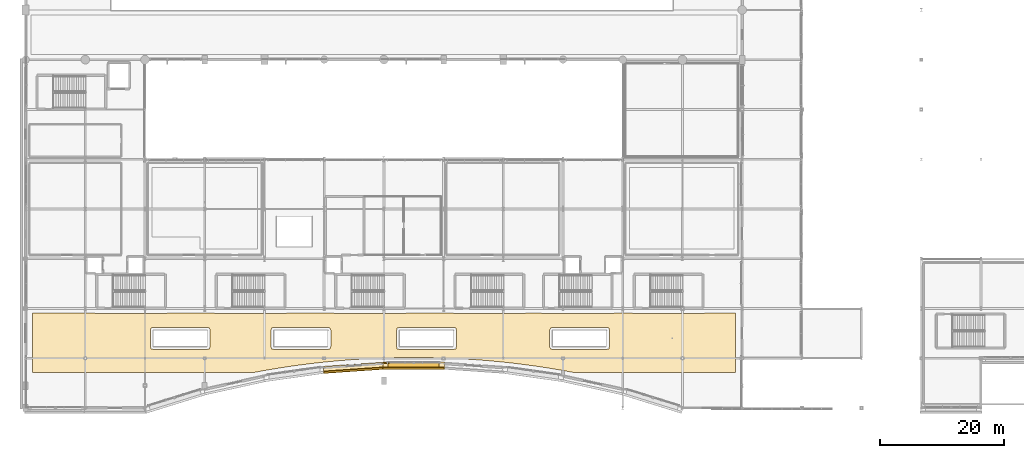
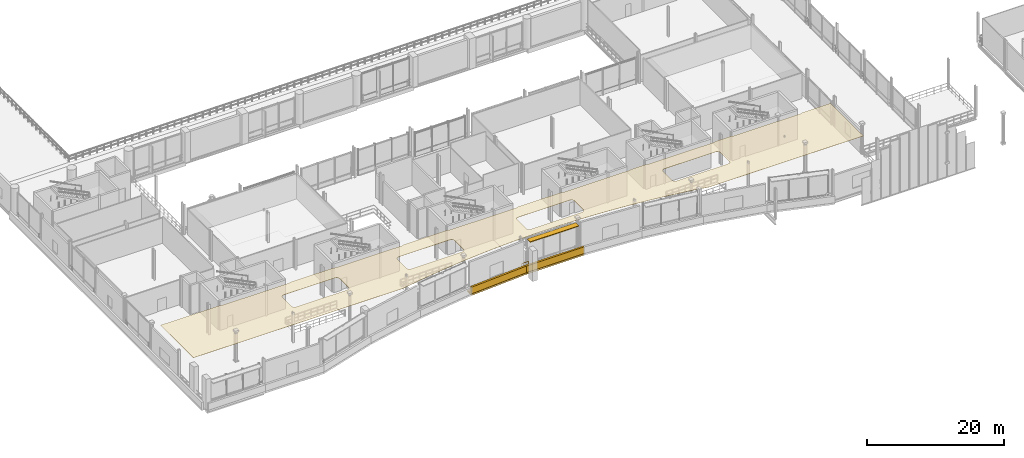
# One storey, part 105 of 129: 5 coverings, 1 railing, 1 shading device.
"""IFC4 building model written with IfcOpenShell, lengths in metres."""

import ifcopenshell
import ifcopenshell.guid

model = None  # the IFC model being written
_history = None  # IfcOwnerHistory: only IFC2X3 demands one
_inside = {}  # id of a spatial element -> (the spatial element, [elements in it])
_under = {}  # id of a project, library or spatial element -> (it, [spatial elements below it])
_declared = {}  # id of a project -> (the project, [libraries it declares])
_typed = {}  # id of a type object -> (the type object, [elements of that type])
_made_of = {}  # id of a material, layer set ... -> (it, [elements and type objects made of it])


def new_model(schema):
    """Start an empty IFC model of exactly this schema.

    Asked for "IFC4X3", IfcOpenShell would pick the latest addendum, in which some entities
    have other attributes; the version numbers below select the first issue.
    IFC2X3 requires an IfcOwnerHistory on every rooted entity: one is made here for all.
    """
    global model, _history
    if schema == "IFC4X3":
        model = ifcopenshell.file(schema_version=(4, 3, 0, 0))
    else:
        model = ifcopenshell.file(schema=schema)
    _inside.clear()
    _under.clear()
    _declared.clear()
    _typed.clear()
    _made_of.clear()
    _history = None
    if model.schema == "IFC2X3":
        org = make("IfcOrganization", Name="unknown")
        user = make(
            "IfcPersonAndOrganization",
            ThePerson=make("IfcPerson", FamilyName="unknown"),
            TheOrganization=org,
        )
        app = make(
            "IfcApplication",
            ApplicationDeveloper=org,
            Version="unknown",
            ApplicationFullName="unknown",
            ApplicationIdentifier="unknown",
        )
        _history = make(
            "IfcOwnerHistory",
            OwningUser=user,
            OwningApplication=app,
            ChangeAction="ADDED",
            CreationDate=0,
        )
    return model


def make(cls, **values):
    """One entity of the class cls with the attributes given. An attribute that is None is left unset."""
    return model.create_entity(
        cls, **{name: value for name, value in values.items() if value is not None}
    )


def rooted(cls, **values):
    """An entity with a GlobalId (a new one), such as an element, a storey or a relation."""
    return make(cls, GlobalId=ifcopenshell.guid.new(), OwnerHistory=_history, **values)


def si_unit(unit_type, name, prefix=None):
    """IfcSIUnit, for example si_unit("LENGTHUNIT", "METRE", prefix="MILLI")."""
    return make("IfcSIUnit", UnitType=unit_type, Prefix=prefix, Name=name)


def assignment(units):
    """IfcUnitAssignment: the units of a project."""
    return None if units is None else make("IfcUnitAssignment", Units=units)


def point(xyz):
    """IfcCartesianPoint."""
    return None if xyz is None else make("IfcCartesianPoint", Coordinates=xyz)


def direction(xyz):
    """IfcDirection."""
    return None if xyz is None else make("IfcDirection", DirectionRatios=xyz)


def frame(location, z_axis=None, x_axis=None):
    """IfcAxis2Placement3D, a coordinate frame: its origin and axes. An axis left out is left unset."""
    return make(
        "IfcAxis2Placement3D",
        Location=point(location),
        Axis=direction(z_axis),
        RefDirection=direction(x_axis),
    )


def frame_2d(location, x_axis=None):
    """IfcAxis2Placement2D, a coordinate frame in the plane: its origin and x axis."""
    return make(
        "IfcAxis2Placement2D", Location=point(location), RefDirection=direction(x_axis)
    )


def origin():
    """The frame at (0, 0, 0) with its axes left unset."""
    return frame((0.0, 0.0, 0.0))


def origin_2d():
    """The frame at (0, 0) in the plane with its x axis left unset."""
    return frame_2d((0.0, 0.0))


def place(relative_to, where):
    """IfcLocalPlacement: puts the frame where relative to a parent placement (None: the world)."""
    return make(
        "IfcLocalPlacement", PlacementRelTo=relative_to, RelativePlacement=where
    )


def context(
    kind, dimensions, precision=None, world=None, true_north=None, identifier=None
):
    """IfcGeometricRepresentationContext, for example the 3D "Model" context."""
    return make(
        "IfcGeometricRepresentationContext",
        ContextIdentifier=identifier,
        ContextType=kind,
        CoordinateSpaceDimension=dimensions,
        Precision=precision,
        WorldCoordinateSystem=world,
        TrueNorth=true_north,
    )


def subcontext(parent, identifier, kind, view, scale=None):
    """IfcGeometricRepresentationSubContext, for example "Body" below "Model"."""
    return make(
        "IfcGeometricRepresentationSubContext",
        ContextIdentifier=identifier,
        ContextType=kind,
        ParentContext=parent,
        TargetScale=scale,
        TargetView=view,
    )


def project(units=None, contexts=None):
    """IfcProject with its units and contexts."""
    return rooted(
        "IfcProject",
        Name="project",
        RepresentationContexts=contexts,
        UnitsInContext=assignment(units),
    )


def spatial(cls, under=None, at=None, **own):
    """A site, building, storey or space (cls), placed at a placement, below another one or the project."""
    s = rooted(cls, ObjectPlacement=at, **own)
    if under is not None:
        _under.setdefault(under.id(), (under, []))[1].append(s)
    return s


def polyline(points):
    """IfcPolyline through the points."""
    return make("IfcPolyline", Points=[point(p) for p in points])


def profile(cls, at=None, kind="AREA", **sizes):
    """A parametric profile (cls). Its sizes go by their IFC names, for example OverallWidth=200.0."""
    return make(cls, ProfileType=kind, Position=at, **sizes)


def rectangle(**sizes):
    """IfcRectangleProfileDef."""
    return profile("IfcRectangleProfileDef", **sizes)


def circle(**sizes):
    """IfcCircleProfileDef."""
    return profile("IfcCircleProfileDef", **sizes)


def outline(outer, holes=None, kind="AREA"):
    """IfcArbitraryClosedProfileDef: a profile drawn as a closed curve; with holes, ...WithVoids."""
    if holes is None:
        return make("IfcArbitraryClosedProfileDef", ProfileType=kind, OuterCurve=outer)
    return make(
        "IfcArbitraryProfileDefWithVoids",
        ProfileType=kind,
        OuterCurve=outer,
        InnerCurves=holes,
    )


def extrude(swept, where, along, depth):
    """IfcExtrudedAreaSolid: the profile swept, set in the frame where, extruded along a direction by depth."""
    return make(
        "IfcExtrudedAreaSolid",
        SweptArea=swept,
        Position=where,
        ExtrudedDirection=direction(along),
        Depth=depth,
    )


def shape(context_of_items, identifier, shape_type, items):
    """IfcShapeRepresentation: the items that make up one representation, for example the "Body"."""
    return make(
        "IfcShapeRepresentation",
        ContextOfItems=context_of_items,
        RepresentationIdentifier=identifier,
        RepresentationType=shape_type,
        Items=items,
    )


def material(Name=None, Category=None):
    """IfcMaterial."""
    return make("IfcMaterial", Name=Name, Category=Category)


def layer(
    of_material, thickness, ventilated=None, Name=None, Category=None, Priority=None
):
    """IfcMaterialLayer: one layer of a wall or slab, of a material (None: an air gap)."""
    return make(
        "IfcMaterialLayer",
        Material=of_material,
        LayerThickness=thickness,
        IsVentilated=ventilated,
        Name=Name,
        Category=Category,
        Priority=Priority,
    )


def layer_set(layers, Name=None):
    """IfcMaterialLayerSet."""
    return make("IfcMaterialLayerSet", MaterialLayers=layers, LayerSetName=Name)


def made_of(thing, what):
    """Note that an element or type object is made of a material, layer set ...; save() writes the relation."""
    if what is not None:
        _made_of.setdefault(what.id(), (what, []))[1].append(thing)
    return thing


def type_object(cls, material=None, **own):
    """A type object (cls), such as IfcWallType, which elements share."""
    return made_of(rooted(cls, **own), material)


def element(
    cls,
    number,
    at=None,
    inside=None,
    cuts=None,
    type_object=None,
    material=None,
    context=None,
    identifier="Body",
    shape_type=None,
    held_by="IfcProductDefinitionShape",
    body=None,
    shapes=None,
    **own,
):
    """One element of the class cls, such as IfcWall. Its Tag is "e" and its number.

    at: its placement. inside: the storey or other place that contains it. cuts: it is an
    opening in that element (IfcRelVoidsElement). A single representation is given by context,
    identifier, shape_type and body (its items); several are given by shapes. held_by: the class
    of the entity that holds the representations. save() writes the other relations.
    """
    e = rooted(cls, Tag="e%d" % number, ObjectPlacement=at, **own)
    if body is not None:
        shapes = [shape(context, identifier, shape_type, body)]
    if shapes is not None:
        e.Representation = make(held_by, Representations=shapes)
    if inside is not None:
        _inside.setdefault(inside.id(), (inside, []))[1].append(e)
    if cuts is not None:
        rooted(
            "IfcRelVoidsElement", RelatingBuildingElement=cuts, RelatedOpeningElement=e
        )
    if type_object is not None:
        _typed.setdefault(type_object.id(), (type_object, []))[1].append(e)
    return made_of(e, material)


def aggregate(whole, parts):
    """IfcRelAggregates: a whole, such as a stair, and the parts it consists of."""
    return rooted("IfcRelAggregates", RelatingObject=whole, RelatedObjects=parts)


def save(model, path):
    """Write the relations noted so far, then the file.

    IfcRelAggregates (storeys below a building ...), IfcRelContainedInSpatialStructure (elements
    in a storey), IfcRelDefinesByType, IfcRelAssociatesMaterial and IfcRelDeclares: one each for
    every whole, place, type object, material and project.
    """
    for whole, parts in _under.values():
        aggregate(whole, parts)
    for where, things in _inside.values():
        rooted(
            "IfcRelContainedInSpatialStructure",
            RelatedElements=things,
            RelatingStructure=where,
        )
    for kind, things in _typed.values():
        rooted("IfcRelDefinesByType", RelatedObjects=things, RelatingType=kind)
    for what, things in _made_of.values():
        rooted("IfcRelAssociatesMaterial", RelatedObjects=things, RelatingMaterial=what)
    for by, libraries in _declared.values():
        rooted("IfcRelDeclares", RelatingContext=by, RelatedDefinitions=libraries)
    model.write(path)


model = new_model("IFC4")

# Units and contexts
model_context = context("Model", 3, precision=1e-05, world=origin(), true_north=direction((0.0, 1.0)))
body_context = subcontext(model_context, "Body", "Model", "MODEL_VIEW")
ifc_project = project(units=[si_unit("LENGTHUNIT", "METRE"), si_unit("AREAUNIT", "SQUARE_METRE"), si_unit("VOLUMEUNIT", "CUBIC_METRE"), si_unit("PLANEANGLEUNIT", "RADIAN"), si_unit("MASSUNIT", "GRAM", prefix="KILO")], contexts=[model_context])

# Site, building, storey
site_placement = place(None, origin())
site = spatial("IfcSite", under=ifc_project, at=site_placement, CompositionType="ELEMENT")
building_placement = place(site_placement, origin())
building = spatial("IfcBuilding", under=site, at=building_placement, Name="Danafjord Basin Convention Centre", CompositionType="ELEMENT")
storey_placement = place(building_placement, frame((0.0, 0.0, 6.0)))
storey = spatial("IfcBuildingStorey", under=building, at=storey_placement, Name="L01", CompositionType="ELEMENT", Elevation=6.0)

# Coverings
ifc_material_1 = material(Name="Architectural white precast concrete C45/55", Category="concrete")
ifc_layer_1 = layer(ifc_material_1, 0.320068359375)
ifc_layer_set_1 = layer_set([ifc_layer_1], Name="Architectural white precast concrete C45/55")
covering_type_1 = type_object("IfcCoveringType", Name="COV-BAND-HORIZ", PredefinedType="CLADDING", material=ifc_layer_set_1)
covering_1_placement = place(storey_placement, frame((52.822509765625, 6.460205078125, -0.27978515625), z_axis=(0.0, 0.0, 1.0), x_axis=(0.997609375858, 0.069105232798, 0.0)))
element("IfcCovering", 1, at=covering_1_placement, inside=storey, type_object=covering_type_1, Name="L01 stepped horizontal band soffit plate 6", PredefinedType="CLADDING", context=body_context, shape_type="SweptSolid", body=[
    extrude(rectangle(XDim=9.863037109375, YDim=1.14990234375, at=origin_2d()), origin(), (0.0, 0.0, 1.0), 0.280029296875),
])
covering_2_placement = place(storey_placement, frame((52.84912109375, 6.076171875, -0.239990234375), z_axis=(0.0, 0.0, 1.0), x_axis=(0.997609375858, 0.069105232798, 0.0)))
element("IfcCovering", 2, at=covering_2_placement, inside=storey, type_object=covering_type_1, Name="L01 layered horizontal white spandrel band 6", PredefinedType="CLADDING", context=body_context, shape_type="SweptSolid", body=[
    extrude(rectangle(XDim=9.903076171875, YDim=0.320068359375, at=origin_2d()), origin(), (0.0, 0.0, 1.0), 1.419921875),
])
covering_3_placement = place(storey_placement, frame((62.39990234375, 6.7919921875, -0.27978515625), z_axis=(0.0, 0.0, 1.0), x_axis=(1.0, 0.0, 0.0)))
element("IfcCovering", 3, at=covering_3_placement, inside=storey, type_object=covering_type_1, Name="L01 stepped horizontal band soffit plate 7", PredefinedType="CLADDING", context=body_context, shape_type="SweptSolid", body=[
    extrude(rectangle(XDim=9.840087890625, YDim=1.14990234375, at=origin_2d()), origin(), (0.0, 0.0, 1.0), 0.280029296875),
])
covering_4_placement = place(storey_placement, frame((62.39990234375, 6.406982421875, -0.239990234375), z_axis=(0.0, 0.0, 1.0), x_axis=(1.0, 0.0, 0.0)))
element("IfcCovering", 4, at=covering_4_placement, inside=storey, type_object=covering_type_1, Name="L01 layered horizontal white spandrel band 7", PredefinedType="CLADDING", context=body_context, shape_type="SweptSolid", body=[
    extrude(rectangle(XDim=9.8798828125, YDim=0.320068359375, at=origin_2d()), origin(), (0.0, 0.0, 1.0), 1.419921875),
])
ifc_material_2 = material(Name="Perforated Nordic birch acoustic slats")
ifc_layer_2 = layer(ifc_material_2, 0.0400390625)
ifc_layer_set_2 = layer_set([ifc_layer_2], Name="Perforated Nordic birch acoustic slats")
covering_type_2 = type_object("IfcCoveringType", Name="COV-CLG-AC01", PredefinedType="CEILING", material=ifc_layer_set_2)
covering_5_placement = place(storey_placement, frame((0.0, 0.0, 4.889892578125)))
element("IfcCovering", 5, at=covering_5_placement, inside=storey, type_object=covering_type_2, Name="Level 1 Harbourfront Pre-Function Foyer acoustic ceiling", PredefinedType="CEILING", context=body_context, shape_type="SweptSolid", body=[
    extrude(outline(polyline([(11.030029296875, 15.300048828125), (11.06201171875, 15.282958984375), (11.075927734375, 15.27587890625), (11.16796875, 15.238037109375), (11.18310546875, 15.23291015625), (11.22412109375, 15.220947265625), (11.239013671875, 15.217041015625), (11.325927734375, 15.198974609375), (11.341064453125, 15.197021484375), (11.389892578125, 15.19189453125), (11.406005859375, 15.19091796875), (11.449951171875, 15.18994140625), (22.489990234375, 15.18994140625), (22.533935546875, 15.19091796875), (22.550048828125, 15.19189453125), (22.59912109375, 15.197021484375), (22.614013671875, 15.198974609375), (22.700927734375, 15.217041015625), (22.716064453125, 15.220947265625), (22.757080078125, 15.23291015625), (22.77197265625, 15.238037109375), (22.864013671875, 15.27587890625), (22.8779296875, 15.282958984375), (22.909912109375, 15.300048828125), (30.22998046875, 15.300048828125), (30.261962890625, 15.282958984375), (30.27587890625, 15.27587890625), (30.367919921875, 15.238037109375), (30.383056640625, 15.23291015625), (30.424072265625, 15.220947265625), (30.43896484375, 15.217041015625), (30.52587890625, 15.198974609375), (30.541015625, 15.197021484375), (30.590087890625, 15.19189453125), (30.60595703125, 15.19091796875), (30.64990234375, 15.18994140625), (41.68994140625, 15.18994140625), (41.73388671875, 15.19091796875), (41.75, 15.19189453125), (41.799072265625, 15.197021484375), (41.81396484375, 15.198974609375), (41.90087890625, 15.217041015625), (41.916015625, 15.220947265625), (41.95703125, 15.23291015625), (41.971923828125, 15.238037109375), (42.06396484375, 15.27587890625), (42.077880859375, 15.282958984375), (42.110107421875, 15.300048828125), (49.429931640625, 15.300048828125), (49.4619140625, 15.282958984375), (49.47607421875, 15.27587890625), (49.568115234375, 15.238037109375), (49.5830078125, 15.23291015625), (49.6240234375, 15.220947265625), (49.638916015625, 15.217041015625), (49.72607421875, 15.198974609375), (49.740966796875, 15.197021484375), (49.7900390625, 15.19189453125), (49.805908203125, 15.19091796875), (49.85009765625, 15.18994140625), (60.889892578125, 15.18994140625), (60.93408203125, 15.19091796875), (60.949951171875, 15.19189453125), (60.9990234375, 15.197021484375), (61.013916015625, 15.198974609375), (61.10107421875, 15.217041015625), (61.115966796875, 15.220947265625), (61.156982421875, 15.23291015625), (61.172119140625, 15.238037109375), (61.263916015625, 15.27587890625), (61.278076171875, 15.282958984375), (61.31005859375, 15.300048828125), (68.6298828125, 15.300048828125), (68.662109375, 15.282958984375), (68.676025390625, 15.27587890625), (68.76806640625, 15.238037109375), (68.782958984375, 15.23291015625), (68.823974609375, 15.220947265625), (68.839111328125, 15.217041015625), (68.926025390625, 15.198974609375), (68.94091796875, 15.197021484375), (68.989990234375, 15.19189453125), (69.006103515625, 15.19091796875), (69.050048828125, 15.18994140625), (80.090087890625, 15.18994140625), (80.134033203125, 15.19091796875), (80.14990234375, 15.19189453125), (80.198974609375, 15.197021484375), (80.214111328125, 15.198974609375), (80.301025390625, 15.217041015625), (80.31591796875, 15.220947265625), (80.35693359375, 15.23291015625), (80.3720703125, 15.238037109375), (80.464111328125, 15.27587890625), (80.47802734375, 15.282958984375), (80.510009765625, 15.300048828125), (82.830078125, 15.300048828125), (82.862060546875, 15.282958984375), (82.8759765625, 15.27587890625), (82.968017578125, 15.238037109375), (82.98291015625, 15.23291015625), (83.02392578125, 15.220947265625), (83.0390625, 15.217041015625), (83.1259765625, 15.198974609375), (83.14111328125, 15.197021484375), (83.18994140625, 15.19189453125), (83.2060546875, 15.19091796875), (83.25, 15.18994140625), (94.2900390625, 15.18994140625), (94.333984375, 15.19091796875), (94.35009765625, 15.19189453125), (94.39892578125, 15.197021484375), (94.4140625, 15.198974609375), (94.5009765625, 15.217041015625), (94.51611328125, 15.220947265625), (94.556884765625, 15.23291015625), (94.572021484375, 15.238037109375), (94.6640625, 15.27587890625), (94.677978515625, 15.282958984375), (94.7099609375, 15.300048828125), (97.429931640625, 15.300048828125), (97.4619140625, 15.282958984375), (97.47607421875, 15.27587890625), (97.568115234375, 15.238037109375), (97.5830078125, 15.23291015625), (97.6240234375, 15.220947265625), (97.638916015625, 15.217041015625), (97.72607421875, 15.198974609375), (97.740966796875, 15.197021484375), (97.7900390625, 15.19189453125), (97.805908203125, 15.19091796875), (97.85009765625, 15.18994140625), (108.889892578125, 15.18994140625), (108.93408203125, 15.19091796875), (108.949951171875, 15.19189453125), (108.9990234375, 15.197021484375), (109.013916015625, 15.198974609375), (109.10107421875, 15.217041015625), (109.115966796875, 15.220947265625), (109.156982421875, 15.23291015625), (109.172119140625, 15.238037109375), (109.263916015625, 15.27587890625), (109.278076171875, 15.282958984375), (109.31005859375, 15.300048828125), (114.10009765625, 15.300048828125), (114.10009765625, 5.699951171875), (88.14111328125, 5.699951171875), (86.5458984375, 6.001953125), (86.532958984375, 6.00390625), (84.131103515625, 6.410888671875), (84.117919921875, 6.4130859375), (81.716064453125, 6.77490234375), (81.702880859375, 6.777099609375), (79.301025390625, 7.093017578125), (79.2890625, 7.093994140625), (76.886962890625, 7.367919921875), (76.8740234375, 7.3701171875), (74.471923828125, 7.59912109375), (74.4599609375, 7.60009765625), (72.05908203125, 7.787109375), (72.047119140625, 7.7880859375), (69.64501953125, 7.93408203125), (69.633056640625, 7.93408203125), (67.23095703125, 8.037109375), (67.218994140625, 8.0380859375), (64.81689453125, 8.09912109375), (64.804931640625, 8.09912109375), (62.404052734375, 8.1201171875), (62.39208984375, 8.1201171875), (59.989990234375, 8.09912109375), (59.97802734375, 8.09912109375), (57.575927734375, 8.037109375), (57.56396484375, 8.035888671875), (55.160888671875, 7.93310546875), (55.14892578125, 7.93310546875), (52.7451171875, 7.7880859375), (52.73193359375, 7.787109375), (50.327880859375, 7.59912109375), (50.31591796875, 7.597900390625), (47.912109375, 7.367919921875), (47.89990234375, 7.366943359375), (45.49609375, 7.093994140625), (45.48291015625, 7.092041015625), (43.0791015625, 6.77392578125), (43.06689453125, 6.77197265625), (40.6630859375, 6.410888671875), (40.64990234375, 6.408935546875), (38.24609375, 6.0), (38.23291015625, 5.998046875), (36.658935546875, 5.699951171875), (1.10009765625, 5.699951171875), (1.10009765625, 15.300048828125), (11.030029296875, 15.300048828125)]), holes=[polyline([(93.81005859375, 12.68408203125), (93.781982421875, 12.73095703125), (93.77490234375, 12.739990234375), (93.77490234375, 12.875), (93.639892578125, 12.875), (93.631103515625, 12.882080078125), (93.583984375, 12.909912109375), (93.534912109375, 12.93310546875), (93.485107421875, 12.950927734375), (93.431884765625, 12.964111328125), (93.37890625, 12.971923828125), (93.324951171875, 12.97509765625), (84.800048828125, 12.97509765625), (84.74609375, 12.971923828125), (84.693115234375, 12.964111328125), (84.639892578125, 12.950927734375), (84.590087890625, 12.93310546875), (84.541015625, 12.909912109375), (84.493896484375, 12.882080078125), (84.485107421875, 12.875), (84.35009765625, 12.875), (84.35009765625, 12.739990234375), (84.343017578125, 12.73095703125), (84.31494140625, 12.68408203125), (84.2919921875, 12.635009765625), (84.27392578125, 12.5849609375), (84.260986328125, 12.531982421875), (84.2529296875, 12.47900390625), (84.25, 12.425048828125), (84.25, 9.97509765625), (84.2529296875, 9.9208984375), (84.260986328125, 9.867919921875), (84.27392578125, 9.81494140625), (84.2919921875, 9.764892578125), (84.31494140625, 9.716064453125), (84.343017578125, 9.6689453125), (84.35009765625, 9.659912109375), (84.35009765625, 9.52490234375), (84.485107421875, 9.52490234375), (84.493896484375, 9.51806640625), (84.541015625, 9.489990234375), (84.590087890625, 9.467041015625), (84.639892578125, 9.448974609375), (84.693115234375, 9.43603515625), (84.74609375, 9.427978515625), (84.800048828125, 9.425048828125), (93.324951171875, 9.425048828125), (93.37890625, 9.427978515625), (93.431884765625, 9.43603515625), (93.485107421875, 9.448974609375), (93.534912109375, 9.467041015625), (93.583984375, 9.489990234375), (93.631103515625, 9.51806640625), (93.639892578125, 9.52490234375), (93.77490234375, 9.52490234375), (93.77490234375, 9.659912109375), (93.781982421875, 9.6689453125), (93.81005859375, 9.716064453125), (93.8330078125, 9.764892578125), (93.85107421875, 9.81494140625), (93.864013671875, 9.867919921875), (93.8720703125, 9.9208984375), (93.875, 9.97509765625), (93.875, 12.425048828125), (93.8720703125, 12.47900390625), (93.864013671875, 12.531982421875), (93.85107421875, 12.5849609375), (93.8330078125, 12.635009765625), (93.81005859375, 12.68408203125)]), polyline([(68.885009765625, 9.448974609375), (68.93505859375, 9.467041015625), (68.98388671875, 9.489990234375), (69.031005859375, 9.51806640625), (69.0400390625, 9.52490234375), (69.175048828125, 9.52490234375), (69.175048828125, 9.659912109375), (69.181884765625, 9.6689453125), (69.2099609375, 9.716064453125), (69.23291015625, 9.764892578125), (69.2509765625, 9.81494140625), (69.263916015625, 9.867919921875), (69.27197265625, 9.9208984375), (69.27490234375, 9.97509765625), (69.27490234375, 12.425048828125), (69.27197265625, 12.47900390625), (69.263916015625, 12.531982421875), (69.2509765625, 12.5849609375), (69.23291015625, 12.635009765625), (69.2099609375, 12.68408203125), (69.181884765625, 12.73095703125), (69.175048828125, 12.739990234375), (69.175048828125, 12.875), (69.0400390625, 12.875), (69.031005859375, 12.882080078125), (68.98388671875, 12.909912109375), (68.93505859375, 12.93310546875), (68.885009765625, 12.950927734375), (68.83203125, 12.964111328125), (68.779052734375, 12.971923828125), (68.72509765625, 12.97509765625), (60.199951171875, 12.97509765625), (60.14599609375, 12.971923828125), (60.093017578125, 12.964111328125), (60.0400390625, 12.950927734375), (59.989990234375, 12.93310546875), (59.94091796875, 12.909912109375), (59.89404296875, 12.882080078125), (59.885009765625, 12.875), (59.75, 12.875), (59.75, 12.739990234375), (59.742919921875, 12.73095703125), (59.715087890625, 12.68408203125), (59.69189453125, 12.635009765625), (59.674072265625, 12.5849609375), (59.660888671875, 12.531982421875), (59.653076171875, 12.47900390625), (59.64990234375, 12.425048828125), (59.64990234375, 9.97509765625), (59.653076171875, 9.9208984375), (59.660888671875, 9.867919921875), (59.674072265625, 9.81494140625), (59.69189453125, 9.764892578125), (59.715087890625, 9.716064453125), (59.742919921875, 9.6689453125), (59.75, 9.659912109375), (59.75, 9.52490234375), (59.885009765625, 9.52490234375), (59.89404296875, 9.51806640625), (59.94091796875, 9.489990234375), (59.989990234375, 9.467041015625), (60.0400390625, 9.448974609375), (60.093017578125, 9.43603515625), (60.14599609375, 9.427978515625), (60.199951171875, 9.425048828125), (68.72509765625, 9.425048828125), (68.779052734375, 9.427978515625), (68.83203125, 9.43603515625), (68.885009765625, 9.448974609375)]), polyline([(39.7900390625, 9.467041015625), (39.840087890625, 9.448974609375), (39.89306640625, 9.43603515625), (39.946044921875, 9.427978515625), (40.0, 9.425048828125), (48.52490234375, 9.425048828125), (48.5791015625, 9.427978515625), (48.632080078125, 9.43603515625), (48.68505859375, 9.448974609375), (48.735107421875, 9.467041015625), (48.783935546875, 9.489990234375), (48.8310546875, 9.51806640625), (48.840087890625, 9.52490234375), (48.97509765625, 9.52490234375), (48.97509765625, 9.659912109375), (48.98193359375, 9.6689453125), (49.010009765625, 9.716064453125), (49.032958984375, 9.764892578125), (49.051025390625, 9.81494140625), (49.06396484375, 9.867919921875), (49.072021484375, 9.9208984375), (49.074951171875, 9.97509765625), (49.074951171875, 12.425048828125), (49.072021484375, 12.47900390625), (49.06396484375, 12.531982421875), (49.051025390625, 12.5849609375), (49.032958984375, 12.635009765625), (49.010009765625, 12.68408203125), (48.98193359375, 12.73095703125), (48.97509765625, 12.739990234375), (48.97509765625, 12.875), (48.840087890625, 12.875), (48.8310546875, 12.882080078125), (48.783935546875, 12.909912109375), (48.735107421875, 12.93310546875), (48.68505859375, 12.950927734375), (48.632080078125, 12.964111328125), (48.5791015625, 12.971923828125), (48.52490234375, 12.97509765625), (40.0, 12.97509765625), (39.946044921875, 12.971923828125), (39.89306640625, 12.964111328125), (39.840087890625, 12.950927734375), (39.7900390625, 12.93310546875), (39.740966796875, 12.909912109375), (39.694091796875, 12.882080078125), (39.68505859375, 12.875), (39.550048828125, 12.875), (39.550048828125, 12.739990234375), (39.54296875, 12.73095703125), (39.514892578125, 12.68408203125), (39.491943359375, 12.635009765625), (39.47412109375, 12.5849609375), (39.4609375, 12.531982421875), (39.452880859375, 12.47900390625), (39.449951171875, 12.425048828125), (39.449951171875, 9.97509765625), (39.452880859375, 9.9208984375), (39.4609375, 9.867919921875), (39.47412109375, 9.81494140625), (39.491943359375, 9.764892578125), (39.514892578125, 9.716064453125), (39.54296875, 9.6689453125), (39.550048828125, 9.659912109375), (39.550048828125, 9.52490234375), (39.68505859375, 9.52490234375), (39.694091796875, 9.51806640625), (39.740966796875, 9.489990234375), (39.7900390625, 9.467041015625)]), polyline([(20.341064453125, 9.489990234375), (20.389892578125, 9.467041015625), (20.43994140625, 9.448974609375), (20.492919921875, 9.43603515625), (20.5458984375, 9.427978515625), (20.60009765625, 9.425048828125), (29.125, 9.425048828125), (29.178955078125, 9.427978515625), (29.23193359375, 9.43603515625), (29.284912109375, 9.448974609375), (29.3349609375, 9.467041015625), (29.384033203125, 9.489990234375), (29.430908203125, 9.51806640625), (29.43994140625, 9.52490234375), (29.574951171875, 9.52490234375), (29.574951171875, 9.659912109375), (29.58203125, 9.6689453125), (29.610107421875, 9.716064453125), (29.633056640625, 9.764892578125), (29.65087890625, 9.81494140625), (29.6640625, 9.867919921875), (29.672119140625, 9.9208984375), (29.675048828125, 9.97509765625), (29.675048828125, 12.425048828125), (29.672119140625, 12.47900390625), (29.6640625, 12.531982421875), (29.65087890625, 12.5849609375), (29.633056640625, 12.635009765625), (29.610107421875, 12.68408203125), (29.58203125, 12.73095703125), (29.574951171875, 12.739990234375), (29.574951171875, 12.875), (29.43994140625, 12.875), (29.430908203125, 12.882080078125), (29.384033203125, 12.909912109375), (29.3349609375, 12.93310546875), (29.284912109375, 12.950927734375), (29.23193359375, 12.964111328125), (29.178955078125, 12.971923828125), (29.125, 12.97509765625), (20.60009765625, 12.97509765625), (20.5458984375, 12.971923828125), (20.492919921875, 12.964111328125), (20.43994140625, 12.950927734375), (20.389892578125, 12.93310546875), (20.341064453125, 12.909912109375), (20.2939453125, 12.882080078125), (20.284912109375, 12.875), (20.14990234375, 12.875), (20.14990234375, 12.739990234375), (20.14306640625, 12.73095703125), (20.114990234375, 12.68408203125), (20.092041015625, 12.635009765625), (20.073974609375, 12.5849609375), (20.06103515625, 12.531982421875), (20.052978515625, 12.47900390625), (20.050048828125, 12.425048828125), (20.050048828125, 9.97509765625), (20.052978515625, 9.9208984375), (20.06103515625, 9.867919921875), (20.073974609375, 9.81494140625), (20.092041015625, 9.764892578125), (20.114990234375, 9.716064453125), (20.14306640625, 9.6689453125), (20.14990234375, 9.659912109375), (20.14990234375, 9.52490234375), (20.284912109375, 9.52490234375), (20.2939453125, 9.51806640625), (20.341064453125, 9.489990234375)])]), origin(), (0.0, 0.0, 1.0), 0.0400390625),
])

# Railing
ifc_material_3 = material(Name="Laminated structural glass and stainless steel", Category="steel")
railing_type = type_object("IfcRailingType", Name="RL-BAL-GLS", PredefinedType="BALUSTRADE", material=ifc_material_3)
railing_placement = place(storey_placement, frame((58.47998046875, 7.219970703125, 0.0)))
element("IfcRailing", 6, at=railing_placement, inside=storey, type_object=railing_type, Name="L01 safety guard balustrade 49", PredefinedType="BALUSTRADE", context=body_context, shape_type="SweptSolid", body=[
    extrude(circle(Radius=0.02392578125, at=origin_2d()), frame((0.0, 0.0, 1.1259765625), z_axis=(-0.999662472804, -0.025979616379, 0.0), x_axis=(0.025979616379, -0.999662472804, 0.0)), (0.0, 0.0, 1.0), 0.88330078125),
    extrude(circle(Radius=0.02392578125, at=origin_2d()), frame((0.0, 0.0, 0.55078125), z_axis=(-0.999662472804, -0.025979616379, 0.0), x_axis=(0.025979616379, -0.999662472804, 0.0)), (0.0, 0.0, 1.0), 0.88330078125),
    extrude(circle(Radius=0.02392578125, at=origin_2d()), frame((-0.883056640625, -0.02294921875, 1.1259765625), z_axis=(-0.99910130476, -0.04238611596, 0.0), x_axis=(0.04238611596, -0.99910130476, 0.0)), (0.0, 0.0, 1.0), 0.2822265625),
    extrude(circle(Radius=0.02392578125, at=origin_2d()), frame((-0.883056640625, -0.02294921875, 0.55078125), z_axis=(-0.99910130476, -0.04238611596, 0.0), x_axis=(0.04238611596, -0.99910130476, 0.0)), (0.0, 0.0, 1.0), 0.2822265625),
    extrude(circle(Radius=0.02099609375, at=origin_2d()), origin(), (0.0, 0.0, 1.0), 1.099853515625),
    extrude(circle(Radius=0.02099609375, at=origin_2d()), frame((-0.883056640625, -0.02294921875, 0.0)), (0.0, 0.0, 1.0), 1.099853515625),
    extrude(circle(Radius=0.02099609375, at=origin_2d()), frame((-1.1650390625, -0.034912109375, 0.0)), (0.0, 0.0, 1.0), 1.099853515625),
])

# Shading device
ifc_material_4 = material(Name="Anodised aluminium aerofoil sunshade", Category="aluminium")
shading_device_type = type_object("IfcShadingDeviceType", Name="SHD-SUN-A", PredefinedType="USERDEFINED", material=ifc_material_4)
shading_device_placement = place(storey_placement, frame((62.39990234375, 6.840087890625, 5.030029296875), z_axis=(0.0, 0.0, 1.0), x_axis=(1.0, 0.0, 0.0)))
element("IfcShadingDevice", 7, at=shading_device_placement, inside=storey, type_object=shading_device_type, Name="L01 cantilevered harbour sunshade 7", ObjectType="SUNSHADE", PredefinedType="USERDEFINED", context=body_context, shape_type="SweptSolid", body=[
    extrude(rectangle(XDim=8.199951171875, YDim=0.89990234375, at=origin_2d()), origin(), (0.0, 0.0, 1.0), 0.1201171875),
])

save(model, "model.ifc")
